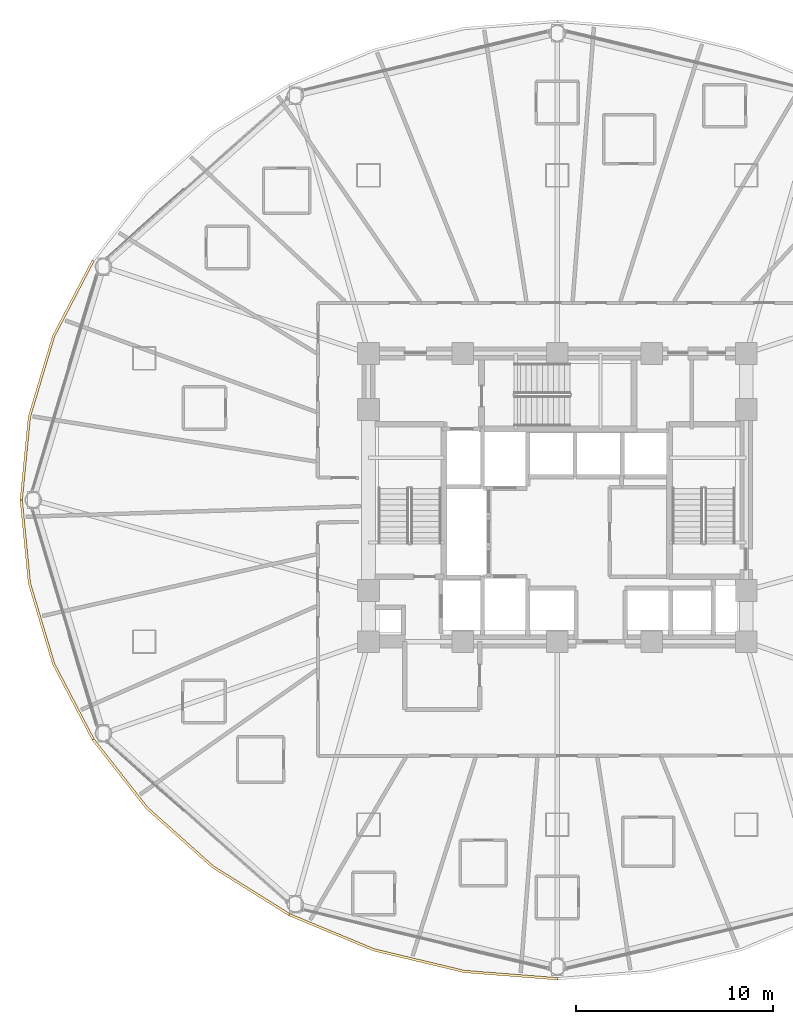
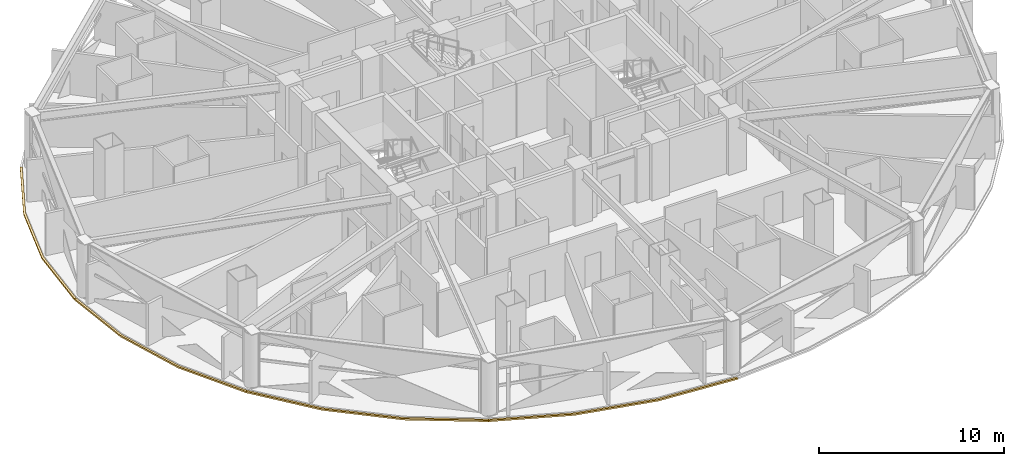
# One storey, part 29 of 32: 4 coverings.
"""IFC4 building model written with IfcOpenShell, lengths in metres."""

from ifc_helpers import new_model, si_unit, direction, frame, origin, place, context, subcontext, project, spatial, polyline, outline, extrude, material, layer, layer_set, type_object, element, save


model = new_model("IFC4")

# Units and contexts
model_context = context("Model", 3, precision=1e-05, world=origin(), true_north=direction((0.0, 1.0)))
body_context = subcontext(model_context, "Body", "Model", "MODEL_VIEW")
ifc_project = project(units=[si_unit("LENGTHUNIT", "METRE"), si_unit("AREAUNIT", "SQUARE_METRE"), si_unit("VOLUMEUNIT", "CUBIC_METRE"), si_unit("PLANEANGLEUNIT", "RADIAN"), si_unit("MASSUNIT", "GRAM", prefix="KILO")], contexts=[model_context])

# Site, building, storey
site_placement = place(None, origin())
site = spatial("IfcSite", under=ifc_project, at=site_placement, CompositionType="ELEMENT")
building_placement = place(site_placement, origin())
building = spatial("IfcBuilding", under=site, at=building_placement, Name="Vantalir Tower", CompositionType="ELEMENT")
storey_placement = place(building_placement, frame((0.0, 0.0, 45.75)))
storey = spatial("IfcBuildingStorey", under=building, at=storey_placement, Name="L10", CompositionType="ELEMENT", Elevation=45.75)

# Coverings
ifc_material = material(Name="Anodised champagne aluminium sill fascia", Category="aluminium")
ifc_layer = layer(ifc_material, 0.125)
ifc_layer_set = layer_set([ifc_layer], Name="Anodised champagne aluminium sill fascia")
covering_type = type_object("IfcCoveringType", Name="COV-SLAB-FASCIA-125", PredefinedType="CLADDING", material=ifc_layer_set)
covering_1_placement = place(storey_placement, frame((0.0, 0.0, -0.179931640625)))
element("IfcCovering", 1, at=covering_1_placement, inside=storey, type_object=covering_type, Name="L10 Perimeter Slab-Edge Sill Fascia 06", PredefinedType="CLADDING", context=body_context, shape_type="SweptSolid", body=[
    extrude(outline(polyline([(7.844970703125, 37.199951171875), (5.8330078125, 33.345947265625), (4.60107421875, 29.237060546875), (4.18603515625, 25.0), (4.31103515625, 25.0), (4.72412109375, 29.215087890625), (5.950927734375, 33.302978515625), (7.9541015625, 37.137939453125), (7.844970703125, 37.199951171875)])), origin(), (0.0, 0.0, 1.0), 0.10498046875),
])
covering_2_placement = place(storey_placement, frame((0.0, 0.0, -0.179931640625)))
element("IfcCovering", 2, at=covering_2_placement, inside=storey, type_object=covering_type, Name="L10 Perimeter Slab-Edge Sill Fascia 07", PredefinedType="CLADDING", context=body_context, shape_type="SweptSolid", body=[
    extrude(outline(polyline([(4.18603515625, 25.0), (4.60107421875, 20.762939453125), (5.8330078125, 16.654052734375), (7.844970703125, 12.799072265625), (7.9541015625, 12.862060546875), (5.950927734375, 16.697021484375), (4.72412109375, 20.784912109375), (4.31103515625, 25.0), (4.18603515625, 25.0)])), origin(), (0.0, 0.0, 1.0), 0.10498046875),
])
covering_3_placement = place(storey_placement, frame((0.0, 0.0, -0.179931640625)))
element("IfcCovering", 3, at=covering_3_placement, inside=storey, type_object=covering_type, Name="L10 Perimeter Slab-Edge Sill Fascia 08", PredefinedType="CLADDING", context=body_context, shape_type="SweptSolid", body=[
    extrude(outline(polyline([(7.844970703125, 12.799072265625), (10.575927734375, 9.31494140625), (13.943115234375, 6.30810546875), (17.843017578125, 3.867919921875), (17.905029296875, 3.97607421875), (14.02294921875, 6.404052734375), (10.672119140625, 9.39599609375), (7.9541015625, 12.862060546875), (7.844970703125, 12.799072265625)])), origin(), (0.0, 0.0, 1.0), 0.10498046875),
])
covering_4_placement = place(storey_placement, frame((0.0, 0.0, -0.179931640625)))
element("IfcCovering", 4, at=covering_4_placement, inside=storey, type_object=covering_type, Name="L10 Perimeter Slab-Edge Sill Fascia 09", PredefinedType="CLADDING", context=body_context, shape_type="SweptSolid", body=[
    extrude(outline(polyline([(17.843017578125, 3.867919921875), (22.157958984375, 2.071044921875), (26.757080078125, 0.969970703125), (31.5, 0.59912109375), (31.5, 0.72412109375), (26.779052734375, 1.093017578125), (22.200927734375, 2.18798828125), (17.905029296875, 3.97607421875), (17.843017578125, 3.867919921875)])), origin(), (0.0, 0.0, 1.0), 0.10498046875),
])

save(model, "model.ifc")
